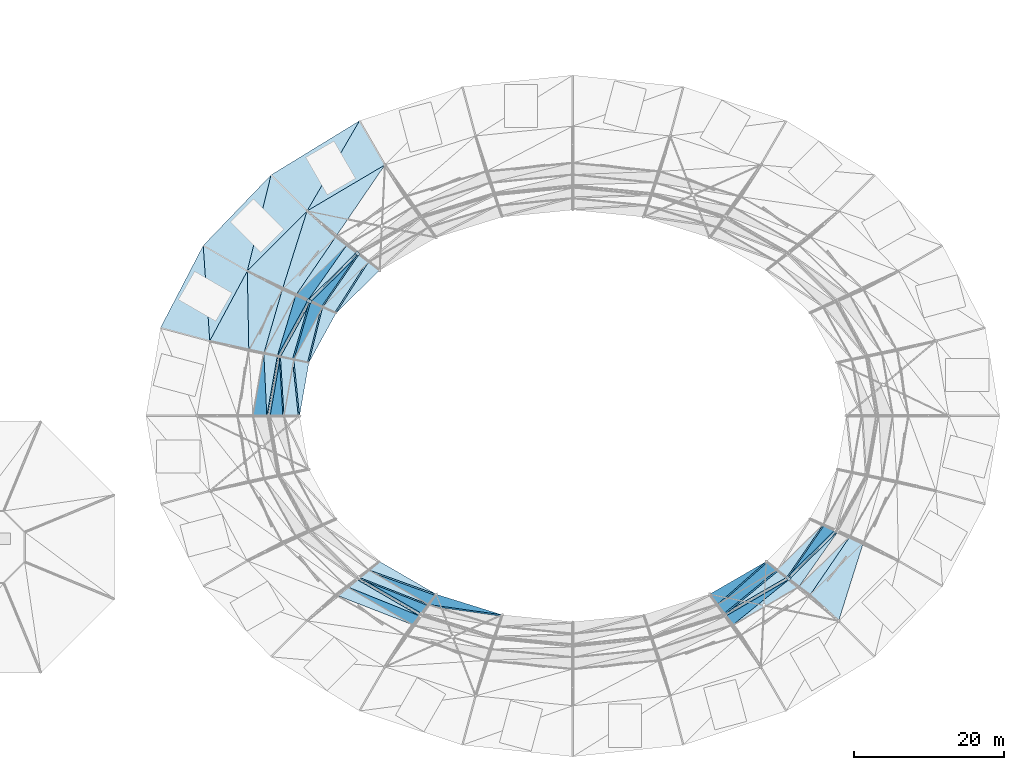
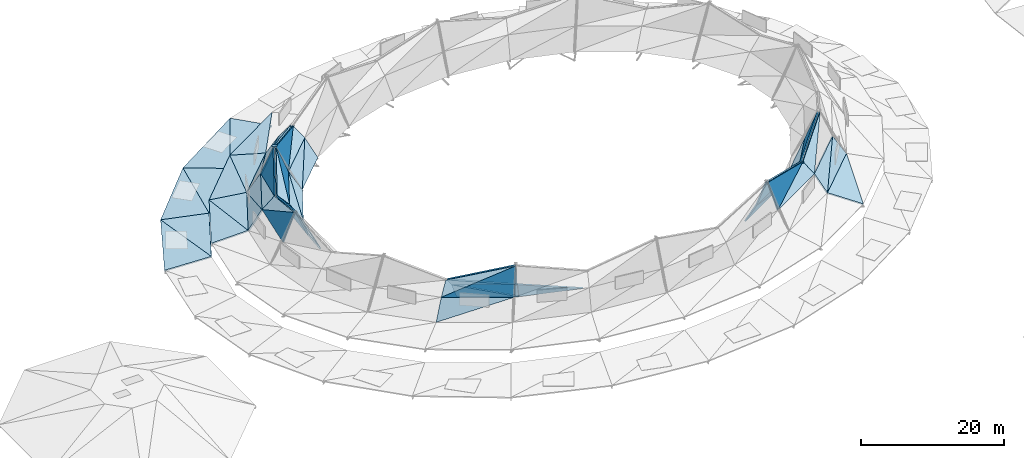
# One storey, part 28 of 36: 53 slabs, 3 plates.
"""IFC4 building model written with IfcOpenShell, lengths in metres."""

from ifc_helpers import new_model, si_unit, direction, frame, origin, origin_2d, place, context, subcontext, project, spatial, polyline, rectangle, outline, extrude, material, layer, layer_set, type_object, element, save


model = new_model("IFC4")

# Units and contexts
model_context = context("Model", 3, precision=1e-05, world=origin(), true_north=direction((0.0, 1.0)))
body_context = subcontext(model_context, "Body", "Model", "MODEL_VIEW")
ifc_project = project(units=[si_unit("LENGTHUNIT", "METRE"), si_unit("AREAUNIT", "SQUARE_METRE"), si_unit("VOLUMEUNIT", "CUBIC_METRE"), si_unit("PLANEANGLEUNIT", "RADIAN"), si_unit("MASSUNIT", "GRAM", prefix="KILO")], contexts=[model_context])

# Site, building, storey
site_placement = place(None, origin())
site = spatial("IfcSite", under=ifc_project, at=site_placement, CompositionType="ELEMENT")
building_placement = place(site_placement, origin())
building = spatial("IfcBuilding", under=site, at=building_placement, Name="Kildeholm Park Wholesale Market", CompositionType="ELEMENT")
storey_placement = place(building_placement, frame((0.0, 0.0, 17.39990234375)))
storey = spatial("IfcBuildingStorey", under=building, at=storey_placement, Name="Roof", CompositionType="ELEMENT", Elevation=17.39990234375)

# Slabs
ifc_material_1 = material(Name="Concrete C35/45", Category="concrete")
ifc_layer_1 = layer(ifc_material_1, 0.219970703125)
ifc_layer_set_1 = layer_set([ifc_layer_1], Name="Concrete C35/45")
slab_type = type_object("IfcSlabType", Name="Slab S-RF2 220 mm", PredefinedType="ROOF", material=ifc_layer_set_1)
slab_1_placement = place(storey_placement, frame((70.5, 128.904052734375, -7.599853515625), z_axis=(-0.089504832172, 0.146121519009, 0.985209311111), x_axis=(-0.852740373682, -0.522335002745, 0.0)))
element("IfcSlab", 1, at=slab_1_placement, inside=storey, type_object=slab_type, Name="Outer white ceramic rim band 1 sector 9A SLB-0109", PredefinedType="ROOF", context=body_context, shape_type="SweptSolid", body=[
    extrude(outline(polyline([(0.0, 0.0), (13.843523779284418, 0.0), (12.25510809694379, 6.710634826106966), (0.0, 0.0)])), origin(), (0.0, 0.0, -1.0), 0.219970703125),
])
slab_2_placement = place(storey_placement, frame((70.5, 128.904052734375, -7.599853515625), z_axis=(-0.084890582583, 0.143515297733, 0.986000480885), x_axis=(-0.50078781888, -0.861648601697, 0.08229974274)))
element("IfcSlab", 2, at=slab_2_placement, inside=storey, type_object=slab_type, Name="Outer white ceramic rim band 1 sector 9B SLB-0110", PredefinedType="ROOF", context=body_context, shape_type="SweptSolid", body=[
    extrude(outline(polyline([(0.0, 0.0), (13.97212561628104, 1.1102230246251565e-16), (3.4663936017349046, 5.962208826518267), (0.0, 0.0)])), origin(), (0.0, 0.0, -1.0), 0.219970703125),
])
slab_3_placement = place(storey_placement, frame((73.89990234375, 123.014892578125, -4.199951171875), z_axis=(-0.115739904974, 0.195668900088, 0.9738161818), x_axis=(-0.860700316594, -0.509111937609, 0.0)))
element("IfcSlab", 3, at=slab_3_placement, inside=storey, type_object=slab_type, Name="Upper white ceramic rim band 2 sector 9A SLB-0111", PredefinedType="ROOF", context=body_context, shape_type="SweptSolid", body=[
    extrude(outline(polyline([(0.0, 0.0), (12.079666355180176, 0.0), (10.55669044648926, 5.059217089607953), (0.0, 0.0)])), origin(), (0.0, 0.0, -1.0), 0.219970703125),
])
slab_4_placement = place(storey_placement, frame((58.695068359375, 121.673095703125, -7.599853515625), z_axis=(-0.123711875469, 0.118920071603, 0.985166680536), x_axis=(-0.693006803532, -0.720931044039, 0.0)))
element("IfcSlab", 4, at=slab_4_placement, inside=storey, type_object=slab_type, Name="Outer white ceramic rim band 1 sector 10A SLB-0121", PredefinedType="ROOF", context=body_context, shape_type="SweptSolid", body=[
    extrude(outline(polyline([(0.0, 0.0), (13.070730940282242, 0.0), (11.440767222335264, 6.701056742369787), (0.0, 0.0)])), origin(), (0.0, 0.0, -1.0), 0.219970703125),
])
slab_5_placement = place(storey_placement, frame((58.695068359375, 121.673095703125, -7.599853515625), z_axis=(-0.118187404367, 0.117629390182, 0.985999525362), x_axis=(-0.239025674388, -0.967132385478, 0.086727596207)))
element("IfcSlab", 5, at=slab_5_placement, inside=storey, type_object=slab_type, Name="Outer white ceramic rim band 1 sector 10B SLB-0122", PredefinedType="ROOF", context=body_context, shape_type="SweptSolid", body=[
    extrude(outline(polyline([(0.0, 0.0), (13.258782602491095, 5.273559366969494e-16), (3.6006004814470116, 5.881442027451164), (0.0, 0.0)])), origin(), (0.0, 0.0, -1.0), 0.219970703125),
])
slab_6_placement = place(storey_placement, frame((63.5029296875, 116.864990234375, -4.199951171875), z_axis=(-0.157611273824, 0.156867122389, 0.974962251719), x_axis=(-0.705431576708, -0.708778026313, 0.0)))
element("IfcSlab", 6, at=slab_6_placement, inside=storey, type_object=slab_type, Name="Upper white ceramic rim band 2 sector 10A SLB-0123", PredefinedType="ROOF", context=body_context, shape_type="SweptSolid", body=[
    extrude(outline(polyline([(0.0, 0.0), (11.308043252726108, -8.881784197001252e-16), (9.74607188636624, 5.1722096737621435), (0.0, 0.0)])), origin(), (0.0, 0.0, -1.0), 0.219970703125),
])
slab_7_placement = place(storey_placement, frame((63.5029296875, 116.864990234375, -4.199951171875), z_axis=(-0.152850305348, 0.155473155175, 0.975943073225), x_axis=(-0.2991826275, -0.948484825664, 0.104241502711)))
element("IfcSlab", 7, at=slab_7_placement, inside=storey, type_object=slab_type, Name="Upper white ceramic rim band 2 sector 10B SLB-0124", PredefinedType="ROOF", context=body_context, shape_type="SweptSolid", body=[
    extrude(outline(polyline([(0.0, 0.0), (11.033479511177656, 4.163336342344337e-16), (2.2638703632643162, 4.7738898349844225), (0.0, 0.0)])), origin(), (0.0, 0.0, -1.0), 0.219970703125),
])
slab_8_placement = place(storey_placement, frame((67.322021484375, 113.39990234375, -3.0498046875), z_axis=(-0.604480187225, 0.614852824366, 0.506517233291), x_axis=(-0.713096204455, -0.701066190307, 0.0)))
element("IfcSlab", 8, at=slab_8_placement, inside=storey, type_object=slab_type, Name="Arched gable roof facet 10-LOA SLB-0125", PredefinedType="ROOF", context=body_context, shape_type="SweptSolid", body=[
    extrude(outline(polyline([(0.0, 0.0), (9.984791873831568, 0.0), (9.254917647847554, 3.5951591807937624), (0.0, 0.0)])), origin(), (0.0, 0.0, -1.0), 0.219970703125),
])
slab_9_placement = place(storey_placement, frame((67.322021484375, 113.39990234375, -3.0498046875), z_axis=(-0.604102004164, 0.614799551728, 0.507032819215), x_axis=(-0.53612348147, -0.784280073452, 0.312212073762)))
element("IfcSlab", 9, at=slab_9_placement, inside=storey, type_object=slab_type, Name="Arched gable roof facet 10-LOB SLB-0126", PredefinedType="ROOF", context=body_context, shape_type="SweptSolid", body=[
    extrude(outline(polyline([(0.0, 0.0), (9.928679177196017, 0.0), (1.0544717240318495, 3.4486639836838817), (0.0, 0.0)])), origin(), (0.0, 0.0, -1.0), 0.219970703125),
])
slab_10_placement = place(storey_placement, frame((68.7900390625, 112.285888671875, 0.050048828125), z_axis=(-0.657727945728, 0.669375111166, 0.345443063267), x_axis=(-0.713285151676, -0.700873949008, 0.0)))
element("IfcSlab", 10, at=slab_10_placement, inside=storey, type_object=slab_type, Name="Arched gable roof facet 10-UOA SLB-0127", PredefinedType="ROOF", context=body_context, shape_type="SweptSolid", body=[
    extrude(outline(polyline([(0.0, 0.0), (9.52075843586806, 0.0), (8.872970490384567, 4.683326464749211), (0.0, 0.0)])), origin(), (0.0, 0.0, -1.0), 0.219970703125),
])
slab_11_placement = place(storey_placement, frame((68.7900390625, 112.285888671875, 0.050048828125), z_axis=(-0.412243565925, 0.662988748755, 0.62490092125), x_axis=(-0.517792796018, -0.734847720614, 0.438051878092)))
element("IfcSlab", 11, at=slab_11_placement, inside=storey, type_object=slab_type, Name="Arched gable roof facet 10-UOB SLB-0128", PredefinedType="ROOF", context=body_context, shape_type="SweptSolid", body=[
    extrude(outline(polyline([(0.0, 0.0), (10.033102815114361, -8.881784197001252e-16), (0.8811310858459167, 2.332129700027024), (0.0, 0.0)])), origin(), (0.0, 0.0, -1.0), 0.219970703125),
])
slab_12_placement = place(storey_placement, frame((70.431884765625, 111.0390625, 1.943115234375), z_axis=(0.720798393091, -0.594487337591, 0.356418969698), x_axis=(-0.688375568366, -0.67416771811, 0.267650826142)))
element("IfcSlab", 12, at=slab_12_placement, inside=storey, type_object=slab_type, Name="Arched gable roof facet 10-UIA SLB-0129", PredefinedType="ROOF", context=body_context, shape_type="SweptSolid", body=[
    extrude(outline(polyline([(0.0, 0.0), (9.34782515364055, 0.0), (7.544767923467225, 4.3706018604368175), (0.0, 0.0)])), origin(), (0.0, 0.0, -1.0), 0.219970703125),
])
slab_13_placement = place(storey_placement, frame((70.431884765625, 111.0390625, 1.943115234375), z_axis=(0.534394527318, -0.544167130181, 0.646764735899), x_axis=(-0.554962368655, -0.803043427499, -0.217112926668)))
element("IfcSlab", 13, at=slab_13_placement, inside=storey, type_object=slab_type, Name="Arched gable roof facet 10-UIB SLB-0130", PredefinedType="ROOF", context=body_context, shape_type="SweptSolid", body=[
    extrude(outline(polyline([(0.0, 0.0), (8.719270820512099, 6.661338147750939e-16), (0.4816177509230948, 2.4462003567477604), (0.0, 0.0)])), origin(), (0.0, 0.0, -1.0), 0.219970703125),
])
slab_14_placement = place(storey_placement, frame((71.72412109375, 110.05810546875, 0.050048828125), z_axis=(0.611290927896, -0.622469753964, 0.488727743096), x_axis=(-0.713484428473, -0.700671085693, 0.0)))
element("IfcSlab", 14, at=slab_14_placement, inside=storey, type_object=slab_type, Name="Arched gable roof facet 10-LIA SLB-0131", PredefinedType="ROOF", context=body_context, shape_type="SweptSolid", body=[
    extrude(outline(polyline([(0.0, 0.0), (8.593184757717129, 0.0), (7.862647205644596, 3.7252001045379783), (0.0, 0.0)])), origin(), (0.0, 0.0, -1.0), 0.219970703125),
])
slab_15_placement = place(storey_placement, frame((71.72412109375, 110.05810546875, 0.050048828125), z_axis=(0.611095455243, -0.622464916707, 0.488978294048), x_axis=(-0.498159751477, -0.78249776543, -0.37354264697)))
element("IfcSlab", 15, at=slab_15_placement, inside=storey, type_object=slab_type, Name="Arched gable roof facet 10-LIB SLB-0132", PredefinedType="ROOF", context=body_context, shape_type="SweptSolid", body=[
    extrude(outline(polyline([(0.0, 0.0), (8.700479118949747, -4.440892098500626e-16), (1.35426348686247, 3.4812088543359088), (0.0, 0.0)])), origin(), (0.0, 0.0, -1.0), 0.219970703125),
])
slab_16_placement = place(storey_placement, frame((49.636962890625, 112.25, -7.599853515625), z_axis=(-0.151429302236, 0.078584901741, 0.985339322083), x_axis=(-0.460622041592, -0.887596380569, 0.0)))
element("IfcSlab", 16, at=slab_16_placement, inside=storey, type_object=slab_type, Name="Outer white ceramic rim band 1 sector 11A SLB-0133", PredefinedType="ROOF", context=body_context, shape_type="SweptSolid", body=[
    extrude(outline(polyline([(0.0, 0.0), (12.36386417744238, 8.881784197001252e-16), (10.899957301963573, 6.740103422855594), (0.0, 0.0)])), origin(), (0.0, 0.0, -1.0), 0.219970703125),
])
slab_17_placement = place(storey_placement, frame((49.636962890625, 112.25, -7.599853515625), z_axis=(-0.146947975585, 0.078951097679, 0.985988345087), x_axis=(0.068200282098, -0.993628579236, 0.089727186782)))
element("IfcSlab", 17, at=slab_17_placement, inside=storey, type_object=slab_type, Name="Outer white ceramic rim band 1 sector 11B SLB-0134", PredefinedType="ROOF", context=body_context, shape_type="SweptSolid", body=[
    extrude(outline(polyline([(0.0, 0.0), (12.815539915876299, 2.7755575615628914e-17), (3.8830433712561634, 5.699378682209725), (0.0, 0.0)])), origin(), (0.0, 0.0, -1.0), 0.219970703125),
])
slab_18_placement = place(storey_placement, frame((55.52587890625, 108.85009765625, -4.199951171875), z_axis=(-0.190416480586, 0.102305527509, 0.976358101806), x_axis=(-0.473287580572, -0.880907978211, 0.0)))
element("IfcSlab", 18, at=slab_18_placement, inside=storey, type_object=slab_type, Name="Upper white ceramic rim band 2 sector 11A SLB-0135", PredefinedType="ROOF", context=body_context, shape_type="SweptSolid", body=[
    extrude(outline(polyline([(0.0, 0.0), (10.595867679566283, 0.0), (9.244218968605356, 5.320827331110439), (0.0, 0.0)])), origin(), (0.0, 0.0, -1.0), 0.219970703125),
])
slab_19_placement = place(storey_placement, frame((55.52587890625, 108.85009765625, -4.199951171875), z_axis=(-0.186641706261, 0.102454502368, 0.977071107151), x_axis=(0.018860774197, -0.993990267339, 0.107831440829)))
element("IfcSlab", 19, at=slab_19_placement, inside=storey, type_object=slab_type, Name="Upper white ceramic rim band 2 sector 11B SLB-0136", PredefinedType="ROOF", context=body_context, shape_type="SweptSolid", body=[
    extrude(outline(polyline([(0.0, 0.0), (10.666151500284201, -8.326672684688674e-17), (2.6476857053130223, 4.709699339083963), (0.0, 0.0)])), origin(), (0.0, 0.0, -1.0), 0.219970703125),
])
slab_20_placement = place(storey_placement, frame((60.201904296875, 106.39990234375, -3.0498046875), z_axis=(-0.741737329288, 0.407166921489, 0.532954812705), x_axis=(-0.481203038707, -0.876609169208, 0.0)))
element("IfcSlab", 20, at=slab_20_placement, inside=storey, type_object=slab_type, Name="Arched gable roof facet 11-LOA SLB-0137", PredefinedType="ROOF", context=body_context, shape_type="SweptSolid", body=[
    extrude(outline(polyline([(0.0, 0.0), (9.299304359450266, 4.440892098500626e-16), (8.69178310538922, 3.6635071577248324), (0.0, 0.0)])), origin(), (0.0, 0.0, -1.0), 0.219970703125),
])
slab_21_placement = place(storey_placement, frame((60.201904296875, 106.39990234375, -3.0498046875), z_axis=(-0.741505340487, 0.407206017541, 0.533247681016), x_axis=(-0.261966428867, -0.907396215473, 0.328642204064)))
element("IfcSlab", 21, at=slab_21_placement, inside=storey, type_object=slab_type, Name="Arched gable roof facet 11-LOB SLB-0138", PredefinedType="ROOF", context=body_context, shape_type="SweptSolid", body=[
    extrude(outline(polyline([(0.0, 0.0), (9.432305033544587, 4.440892098500626e-16), (1.2619563438900085, 3.4446120401457696), (0.0, 0.0)])), origin(), (0.0, 0.0, -1.0), 0.219970703125),
])
slab_22_placement = place(storey_placement, frame((61.9990234375, 105.613037109375, 0.050048828125), z_axis=(-0.648764619135, 0.356276404842, 0.672437054535), x_axis=(-0.481354223541, -0.87652616132, 0.0)))
element("IfcSlab", 22, at=slab_22_placement, inside=storey, type_object=slab_type, Name="Arched gable roof facet 11-UOA SLB-0139", PredefinedType="ROOF", context=body_context, shape_type="SweptSolid", body=[
    extrude(outline(polyline([(0.0, 0.0), (8.866789149272552, 0.0), (8.324683865195471, 2.592628696045695), (0.0, 0.0)])), origin(), (0.0, 0.0, -1.0), 0.219970703125),
])
slab_23_placement = place(storey_placement, frame((61.9990234375, 105.613037109375, 0.050048828125), z_axis=(-0.861481354076, 0.349397405731, 0.368471612811), x_axis=(-0.284319942625, -0.93312606736, 0.220086148221)))
element("IfcSlab", 23, at=slab_23_placement, inside=storey, type_object=slab_type, Name="Arched gable roof facet 11-UOB SLB-0140", PredefinedType="ROOF", context=body_context, shape_type="SweptSolid", body=[
    extrude(outline(polyline([(0.0, 0.0), (8.719064457325993, 0.0), (1.1666659693481036, 4.581709998864957), (0.0, 0.0)])), origin(), (0.0, 0.0, -1.0), 0.219970703125),
])
slab_24_placement = place(storey_placement, frame((63.9970703125, 104.737060546875, 4.445068359375), z_axis=(0.569957843804, -0.526367920162, 0.630939671372), x_axis=(-0.462525121936, -0.840188371056, -0.283114840164)))
element("IfcSlab", 24, at=slab_24_placement, inside=storey, type_object=slab_type, Name="Arched gable roof facet 11-UIA SLB-0141", PredefinedType="ROOF", context=body_context, shape_type="SweptSolid", body=[
    extrude(outline(polyline([(0.0, 0.0), (8.745829845295708, -4.440892098500626e-16), (8.76791712846791, 2.6479464755702606), (0.0, 0.0)])), origin(), (0.0, 0.0, -1.0), 0.219970703125),
])
slab_25_placement = place(storey_placement, frame((63.9970703125, 104.737060546875, 4.445068359375), z_axis=(0.815140648615, -0.447898813329, 0.367331425275), x_axis=(-0.246431981915, -0.842027028308, -0.47985598036)))
element("IfcSlab", 25, at=slab_25_placement, inside=storey, type_object=slab_type, Name="Arched gable roof facet 11-UIB SLB-0142", PredefinedType="ROOF", context=body_context, shape_type="SweptSolid", body=[
    extrude(outline(polyline([(0.0, 0.0), (9.15903877648555, 0.0), (2.3050617633865365, 4.127937289338032), (0.0, 0.0)])), origin(), (0.0, 0.0, -1.0), 0.219970703125),
])
slab_26_placement = place(storey_placement, frame((65.593017578125, 104.037109375, 0.050048828125), z_axis=(0.751287913876, -0.412813378483, 0.514928718376), x_axis=(-0.481564964074, -0.876410397803, 0.0)))
element("IfcSlab", 26, at=slab_26_placement, inside=storey, type_object=slab_type, Name="Arched gable roof facet 11-LIA SLB-0143", PredefinedType="ROOF", context=body_context, shape_type="SweptSolid", body=[
    extrude(outline(polyline([(0.0, 0.0), (8.001054128100693, 0.0), (7.392726713066708, 3.791267955001648), (0.0, 0.0)])), origin(), (0.0, 0.0, -1.0), 0.219970703125),
])
slab_27_placement = place(storey_placement, frame((65.593017578125, 104.037109375, 0.050048828125), z_axis=(0.751039385042, -0.412885042379, 0.515233717739), x_axis=(-0.222565896526, -0.892996439072, -0.391179986078)))
element("IfcSlab", 27, at=slab_27_placement, inside=storey, type_object=slab_type, Name="Arched gable roof facet 11-LIB SLB-0144", PredefinedType="ROOF", context=body_context, shape_type="SweptSolid", body=[
    extrude(outline(polyline([(0.0, 0.0), (8.308196011211606, 0.0), (1.5742977284687767, 3.4543288198977153), (0.0, 0.0)])), origin(), (0.0, 0.0, -1.0), 0.219970703125),
])
slab_28_placement = place(storey_placement, frame((57.73095703125, 97.841064453125, 0.050048828125), z_axis=(-0.910521233281, 0.158944786632, 0.381690500991), x_axis=(-0.171964159938, -0.985103206622, 0.0)))
element("IfcSlab", 28, at=slab_28_placement, inside=storey, type_object=slab_type, Name="Arched gable roof facet 12-UOA SLB-0151", PredefinedType="ROOF", context=body_context, shape_type="SweptSolid", body=[
    extrude(outline(polyline([(0.0, 0.0), (8.467198560573395, 2.220446049250313e-16), (8.148208402562801, 4.787510308064807), (0.0, 0.0)])), origin(), (0.0, 0.0, -1.0), 0.219970703125),
])
slab_29_placement = place(storey_placement, frame((57.73095703125, 97.841064453125, 0.050048828125), z_axis=(-0.659296066952, 0.327520098569, 0.676800769159), x_axis=(0.042211755684, -0.882597694585, 0.468230154086)))
element("IfcSlab", 29, at=slab_29_placement, inside=storey, type_object=slab_type, Name="Arched gable roof facet 12-UOB SLB-0152", PredefinedType="ROOF", context=body_context, shape_type="SweptSolid", body=[
    extrude(outline(polyline([(0.0, 0.0), (9.450584908957849, -4.440892098500626e-16), (1.2953051561027284, 2.310364959732029), (0.0, 0.0)])), origin(), (0.0, 0.0, -1.0), 0.219970703125),
])
slab_30_placement = place(storey_placement, frame((59.951904296875, 97.388916015625, 1.968994140625), z_axis=(0.921554473294, -0.038698614287, 0.386315635205), x_axis=(-0.164661849727, -0.940056245621, 0.298631428877)))
element("IfcSlab", 30, at=slab_30_placement, inside=storey, type_object=slab_type, Name="Arched gable roof facet 12-UIA SLB-0153", PredefinedType="ROOF", context=body_context, shape_type="SweptSolid", body=[
    extrude(outline(polyline([(0.0, 0.0), (8.391961706941895, 0.0), (6.765058537357374, 4.513889204170861), (0.0, 0.0)])), origin(), (0.0, 0.0, -1.0), 0.219970703125),
])
slab_31_placement = place(storey_placement, frame((59.951904296875, 97.388916015625, 1.968994140625), z_axis=(0.713980913024, -0.124764817259, 0.688959357445), x_axis=(0.05817786075, -0.970021266467, -0.235953552887)))
element("IfcSlab", 31, at=slab_31_placement, inside=storey, type_object=slab_type, Name="Arched gable roof facet 12-UIB SLB-0154", PredefinedType="ROOF", context=body_context, shape_type="SweptSolid", body=[
    extrude(outline(polyline([(0.0, 0.0), (8.13272480546355, 0.0), (0.9099099819643092, 2.4867995919021313), (0.0, 0.0)])), origin(), (0.0, 0.0, -1.0), 0.219970703125),
])
slab_32_placement = place(storey_placement, frame((61.739990234375, 97.02490234375, 0.050048828125), z_axis=(0.833869186612, -0.145714731007, 0.532380875677), x_axis=(-0.172136895087, -0.985073037571, 0.0)))
element("IfcSlab", 32, at=slab_32_placement, inside=storey, type_object=slab_type, Name="Arched gable roof facet 12-LIA SLB-0155", PredefinedType="ROOF", context=body_context, shape_type="SweptSolid", body=[
    extrude(outline(polyline([(0.0, 0.0), (7.638928340077879, 0.0), (7.281752687895025, 3.839316074400907), (0.0, 0.0)])), origin(), (0.0, 0.0, -1.0), 0.219970703125),
])
slab_33_placement = place(storey_placement, frame((61.739990234375, 97.02490234375, 0.050048828125), z_axis=(0.833859310223, -0.145721597859, 0.53239446529), x_axis=(0.092324888156, -0.914114263654, -0.394805303931)))
element("IfcSlab", 33, at=slab_33_placement, inside=storey, type_object=slab_type, Name="Arched gable roof facet 12-LIB SLB-0156", PredefinedType="ROOF", context=body_context, shape_type="SweptSolid", body=[
    extrude(outline(polyline([(0.0, 0.0), (8.231905619406701, -4.440892098500626e-16), (1.8401560950744933, 3.370103929593937), (0.0, 0.0)])), origin(), (0.0, 0.0, -1.0), 0.219970703125),
])
slab_34_placement = place(storey_placement, frame((67.322021484375, 65.60009765625, -3.0498046875), z_axis=(-0.439342448941, -0.758839481518, 0.480771103383), x_axis=(0.897556926744, -0.348761942399, 0.269734444943)))
element("IfcSlab", 34, at=slab_34_placement, inside=storey, type_object=slab_type, Name="Arched gable roof facet 16-LOB SLB-0198", PredefinedType="ROOF", context=body_context, shape_type="SweptSolid", body=[
    extrude(outline(polyline([(0.0, 0.0), (11.492241994805086, 4.440892098500626e-16), (1.7652410412086452, 3.1446967986713283), (0.0, 0.0)])), origin(), (0.0, 0.0, -1.0), 0.219970703125),
])
slab_35_placement = place(storey_placement, frame((68.7900390625, 66.714111328125, 0.050048828125), z_axis=(-0.473863365197, -0.818464574102, 0.324914222624), x_axis=(0.865419200012, -0.501048508879, 0.0)))
element("IfcSlab", 35, at=slab_35_placement, inside=storey, type_object=slab_type, Name="Arched gable roof facet 16-UOA SLB-0199", PredefinedType="ROOF", context=body_context, shape_type="SweptSolid", body=[
    extrude(outline(polyline([(0.0, 0.0), (10.22270343435824, 0.0), (10.410204102376682, 4.56248597441558), (0.0, 0.0)])), origin(), (0.0, 0.0, -1.0), 0.219970703125),
])
slab_36_placement = place(storey_placement, frame((68.7900390625, 66.714111328125, 0.050048828125), z_axis=(-0.513616744053, -0.566736834599, 0.644210525013), x_axis=(0.857984540344, -0.34603772644, 0.379631953886)))
element("IfcSlab", 36, at=slab_36_placement, inside=storey, type_object=slab_type, Name="Arched gable roof facet 16-UOB SLB-0200", PredefinedType="ROOF", context=body_context, shape_type="SweptSolid", body=[
    extrude(outline(polyline([(0.0, 0.0), (11.366117530620523, 0.0), (1.4877296809312432, 2.0004702758772397), (0.0, 0.0)])), origin(), (0.0, 0.0, -1.0), 0.219970703125),
])
slab_37_placement = place(storey_placement, frame((70.431884765625, 67.9609375, 1.943115234375), z_axis=(0.401877400592, 0.857730803522, 0.320612575521), x_axis=(0.840341411198, -0.484551404522, 0.24297376196)))
element("IfcSlab", 37, at=slab_37_placement, inside=storey, type_object=slab_type, Name="Arched gable roof facet 16-UIA SLB-0201", PredefinedType="ROOF", context=body_context, shape_type="SweptSolid", body=[
    extrude(outline(polyline([(0.0, 0.0), (9.967640046656408, 0.0), (9.103436350610954, 4.4837645890206925), (0.0, 0.0)])), origin(), (0.0, 0.0, -1.0), 0.219970703125),
])
slab_38_placement = place(storey_placement, frame((70.431884765625, 67.9609375, 1.943115234375), z_axis=(0.392877419143, 0.679083773133, 0.620074642761), x_axis=(0.914588140031, -0.358786082659, -0.186550478437)))
element("IfcSlab", 38, at=slab_38_placement, inside=storey, type_object=slab_type, Name="Arched gable roof facet 16-UIB SLB-0202", PredefinedType="ROOF", context=body_context, shape_type="SweptSolid", body=[
    extrude(outline(polyline([(0.0, 0.0), (10.14774350677927, -4.440892098500626e-16), (1.183062733120926, 2.194587526816265), (0.0, 0.0)])), origin(), (0.0, 0.0, -1.0), 0.219970703125),
])
slab_39_placement = place(storey_placement, frame((71.72412109375, 68.94189453125, 0.050048828125), z_axis=(0.443732587432, 0.76698630426, 0.463501240483), x_axis=(0.865578978323, -0.500772435628, 0.0)))
element("IfcSlab", 39, at=slab_39_placement, inside=storey, type_object=slab_type, Name="Arched gable roof facet 16-LIA SLB-0203", PredefinedType="ROOF", context=body_context, shape_type="SweptSolid", body=[
    extrude(outline(polyline([(0.0, 0.0), (9.229394118058728, 4.440892098500626e-16), (9.444033742585155, 3.6677730279227982), (0.0, 0.0)])), origin(), (0.0, 0.0, -1.0), 0.219970703125),
])
slab_40_placement = place(storey_placement, frame((71.72412109375, 68.94189453125, 0.050048828125), z_axis=(0.443676368098, 0.767307585826, 0.463023054636), x_axis=(0.890894436179, -0.321560599307, -0.320789470771)))
element("IfcSlab", 40, at=slab_40_placement, inside=storey, type_object=slab_type, Name="Arched gable roof facet 16-LIB SLB-0204", PredefinedType="ROOF", context=body_context, shape_type="SweptSolid", body=[
    extrude(outline(polyline([(0.0, 0.0), (10.131255219144613, 0.0), (1.9914180750086374, 3.160237131907116), (0.0, 0.0)])), origin(), (0.0, 0.0, -1.0), 0.219970703125),
])
slab_41_placement = place(storey_placement, frame((79.712890625, 64.320068359375, 0.050048828125), z_axis=(0.26690130094, 0.85528441237, 0.444130914837), x_axis=(0.941203603906, -0.132289254835, -0.310862234839)))
element("IfcSlab", 41, at=slab_41_placement, inside=storey, type_object=slab_type, Name="Arched gable roof facet 17-LIB SLB-0216", PredefinedType="ROOF", context=body_context, shape_type="SweptSolid", body=[
    extrude(outline(polyline([(0.0, 0.0), (10.454791981020076, 0.0), (1.805988992385376, 3.199536358936661), (0.0, 0.0)])), origin(), (0.0, 0.0, -1.0), 0.219970703125),
])
slab_42_placement = place(storey_placement, frame((120.363037109375, 61.592041015625, 0.050048828125), z_axis=(0.393086162516, -0.678944865162, 0.620094459667), x_axis=(0.865419200012, 0.501048508879, 0.0)))
element("IfcSlab", 42, at=slab_42_placement, inside=storey, type_object=slab_type, Name="Arched gable roof facet 21-UOA SLB-0259", PredefinedType="ROOF", context=body_context, shape_type="SweptSolid", body=[
    extrude(outline(polyline([(0.0, 0.0), (10.22270343435824, -4.440892098500626e-16), (9.596095646812316, 2.413003027096928), (0.0, 0.0)])), origin(), (0.0, 0.0, -1.0), 0.219970703125),
])
slab_43_placement = place(storey_placement, frame((120.363037109375, 61.592041015625, 0.050048828125), z_axis=(0.542913491604, -0.77350519885, 0.32700863595), x_axis=(0.763523236157, 0.616789589835, 0.191318764684)))
element("IfcSlab", 43, at=slab_43_placement, inside=storey, type_object=slab_type, Name="Arched gable roof facet 21-UOB SLB-0260", PredefinedType="ROOF", context=body_context, shape_type="SweptSolid", body=[
    extrude(outline(polyline([(0.0, 0.0), (9.894828713603347, 0.0), (0.8678595002673851, 4.483107700584706), (0.0, 0.0)])), origin(), (0.0, 0.0, -1.0), 0.219970703125),
])
slab_44_placement = place(storey_placement, frame((119.19189453125, 63.131103515625, 4.364990234375), z_axis=(-0.272819813216, 0.765408915568, 0.582853790831), x_axis=(0.840341411198, 0.484551404522, -0.24297376196)))
element("IfcSlab", 44, at=slab_44_placement, inside=storey, type_object=slab_type, Name="Arched gable roof facet 21-UIA SLB-0261", PredefinedType="ROOF", context=body_context, shape_type="SweptSolid", body=[
    extrude(outline(polyline([(0.0, 0.0), (9.967640046656408, 4.440892098500626e-16), (9.817009920712513, 2.4886065194231124), (0.0, 0.0)])), origin(), (0.0, 0.0, -1.0), 0.219970703125),
])
slab_45_placement = place(storey_placement, frame((119.19189453125, 63.131103515625, 4.364990234375), z_axis=(-0.473608413625, 0.818626301339, 0.324878514678), x_axis=(0.69947805502, 0.573761965382, -0.426060626703)))
element("IfcSlab", 45, at=slab_45_placement, inside=storey, type_object=slab_type, Name="Arched gable roof facet 21-UIB SLB-0262", PredefinedType="ROOF", context=body_context, shape_type="SweptSolid", body=[
    extrude(outline(polyline([(0.0, 0.0), (10.127529125699077, -4.440892098500626e-16), (1.8877320839500038, 4.157819199681524), (0.0, 0.0)])), origin(), (0.0, 0.0, -1.0), 0.219970703125),
])
slab_46_placement = place(storey_placement, frame((118.287109375, 64.320068359375, 0.050048828125), z_axis=(-0.443848322684, 0.767186351215, 0.463059141968), x_axis=(0.865578978323, 0.500772435628, 0.0)))
element("IfcSlab", 46, at=slab_46_placement, inside=storey, type_object=slab_type, Name="Arched gable roof facet 21-LIA SLB-0263", PredefinedType="ROOF", context=body_context, shape_type="SweptSolid", body=[
    extrude(outline(polyline([(0.0, 0.0), (9.229394118058728, -4.440892098500626e-16), (8.517143881795343, 3.66681664121597), (0.0, 0.0)])), origin(), (0.0, 0.0, -1.0), 0.219970703125),
])
slab_47_placement = place(storey_placement, frame((118.287109375, 64.320068359375, 0.050048828125), z_axis=(-0.443554090084, 0.767096114461, 0.46349036705), x_axis=(0.703334397128, 0.618451934886, -0.350482424742)))
element("IfcSlab", 47, at=slab_47_placement, inside=storey, type_object=slab_type, Name="Arched gable roof facet 21-LIB SLB-0264", PredefinedType="ROOF", context=body_context, shape_type="SweptSolid", body=[
    extrude(outline(polyline([(0.0, 0.0), (9.272932879272997, 0.0), (1.2532100779725999, 3.4537072332846517), (0.0, 0.0)])), origin(), (0.0, 0.0, -1.0), 0.219970703125),
])
slab_48_placement = place(storey_placement, frame((134.4970703125, 62.135009765625, -4.199951171875), z_axis=(0.152850305348, -0.155473155175, 0.975943073225), x_axis=(0.2991826275, 0.948484825664, 0.104241502711)))
element("IfcSlab", 48, at=slab_48_placement, inside=storey, type_object=slab_type, Name="Upper white ceramic rim band 2 sector 22B SLB-0268", PredefinedType="ROOF", context=body_context, shape_type="SweptSolid", body=[
    extrude(outline(polyline([(0.0, 0.0), (11.033479511177656, 4.163336342344337e-16), (2.2638703632643162, 4.7738898349844225), (0.0, 0.0)])), origin(), (0.0, 0.0, -1.0), 0.219970703125),
])
slab_49_placement = place(storey_placement, frame((130.677978515625, 65.60009765625, -3.0498046875), z_axis=(0.604480187225, -0.614852824366, 0.506517233291), x_axis=(0.713096204455, 0.701066190307, 0.0)))
element("IfcSlab", 49, at=slab_49_placement, inside=storey, type_object=slab_type, Name="Arched gable roof facet 22-LOA SLB-0269", PredefinedType="ROOF", context=body_context, shape_type="SweptSolid", body=[
    extrude(outline(polyline([(0.0, 0.0), (9.984791873831568, 0.0), (9.254917647847554, 3.5951591807937624), (0.0, 0.0)])), origin(), (0.0, 0.0, -1.0), 0.219970703125),
])
slab_50_placement = place(storey_placement, frame((130.677978515625, 65.60009765625, -3.0498046875), z_axis=(0.604102004164, -0.614799551728, 0.507032819215), x_axis=(0.53612348147, 0.784280073452, 0.312212073762)))
element("IfcSlab", 50, at=slab_50_placement, inside=storey, type_object=slab_type, Name="Arched gable roof facet 22-LOB SLB-0270", PredefinedType="ROOF", context=body_context, shape_type="SweptSolid", body=[
    extrude(outline(polyline([(0.0, 0.0), (9.928679177196017, 0.0), (1.0544717240318495, 3.4486639836838817), (0.0, 0.0)])), origin(), (0.0, 0.0, -1.0), 0.219970703125),
])
slab_51_placement = place(storey_placement, frame((129.2099609375, 66.714111328125, 0.050048828125), z_axis=(0.412243565925, -0.662988748755, 0.62490092125), x_axis=(0.517792796018, 0.734847720614, 0.438051878092)))
element("IfcSlab", 51, at=slab_51_placement, inside=storey, type_object=slab_type, Name="Arched gable roof facet 22-UOB SLB-0272", PredefinedType="ROOF", context=body_context, shape_type="SweptSolid", body=[
    extrude(outline(polyline([(0.0, 0.0), (10.033102815114361, -8.881784197001252e-16), (0.8811310858459167, 2.332129700027024), (0.0, 0.0)])), origin(), (0.0, 0.0, -1.0), 0.219970703125),
])
slab_52_placement = place(storey_placement, frame((127.568115234375, 67.9609375, 1.943115234375), z_axis=(-0.720798393091, 0.594487337591, 0.356418969698), x_axis=(0.688375568366, 0.67416771811, 0.267650826142)))
element("IfcSlab", 52, at=slab_52_placement, inside=storey, type_object=slab_type, Name="Arched gable roof facet 22-UIA SLB-0273", PredefinedType="ROOF", context=body_context, shape_type="SweptSolid", body=[
    extrude(outline(polyline([(0.0, 0.0), (9.34782515364055, 0.0), (7.544767923467225, 4.3706018604368175), (0.0, 0.0)])), origin(), (0.0, 0.0, -1.0), 0.219970703125),
])
slab_53_placement = place(storey_placement, frame((127.568115234375, 67.9609375, 1.943115234375), z_axis=(-0.534394527318, 0.544167130181, 0.646764735899), x_axis=(0.554962368655, 0.803043427499, -0.217112926668)))
element("IfcSlab", 53, at=slab_53_placement, inside=storey, type_object=slab_type, Name="Arched gable roof facet 22-UIB SLB-0274", PredefinedType="ROOF", context=body_context, shape_type="SweptSolid", body=[
    extrude(outline(polyline([(0.0, 0.0), (8.719270820512099, 6.661338147750939e-16), (0.4816177509230948, 2.4462003567477604), (0.0, 0.0)])), origin(), (0.0, 0.0, -1.0), 0.219970703125),
])

# Plates
ifc_material_2 = material(Name="Steel S355", Category="steel")
ifc_layer_2 = layer(ifc_material_2, 0.033935546875)
ifc_layer_set_2 = layer_set([ifc_layer_2], Name="Steel S355")
plate_type_1 = type_object("IfcPlateType", Name="Steel connection plate GP-04 600x420x34", PredefinedType="SHEET", material=ifc_layer_set_2)
for number, where, z_axis, x_axis, name in (
    (54, (70.257080078125, 111.172119140625, 1.84326171875), (0.0, 0.0, 1.0), (-0.707106781187, 0.707106781187, 0.0), "Arch crown gusset plate TR-10 PLT-0055"),
    (55, (127.742919921875, 67.827880859375, 1.84326171875), (0.0, 0.0, 1.0), (0.707106781187, -0.707106781187, 0.0), "Arch crown gusset plate TR-22 PLT-0118"),
):
    element("IfcPlate", number, at=place(storey_placement, frame(where, z_axis=z_axis, x_axis=x_axis)), inside=storey, type_object=plate_type_1, Name=name, PredefinedType="SHEET", context=body_context, shape_type="SweptSolid", body=[
        extrude(rectangle(XDim=0.60009765625, YDim=0.419921875, at=origin_2d()), origin(), (0.0, 0.0, 1.0), 0.033935546875),
    ])
ifc_layer_3 = layer(ifc_material_2, 0.035888671875)
ifc_layer_set_3 = layer_set([ifc_layer_3], Name="Steel S355")
plate_type_2 = type_object("IfcPlateType", Name="Steel connection plate GP-05 660x460x36", PredefinedType="SHEET", material=ifc_layer_set_3)
plate_placement = place(storey_placement, frame((63.7958984375, 104.824951171875, 4.64208984375), z_axis=(0.0, 0.0, 1.0), x_axis=(-0.866025403784, 0.5, 0.0)))
element("IfcPlate", 56, at=plate_placement, inside=storey, type_object=plate_type_2, Name="Arch crown gusset plate TR-11 PLT-0059", PredefinedType="SHEET", context=body_context, shape_type="SweptSolid", body=[
    extrude(rectangle(XDim=0.659912109375, YDim=0.4599609375, at=origin_2d()), origin(), (0.0, 0.0, 1.0), 0.035888671875),
])

save(model, "model.ifc")
